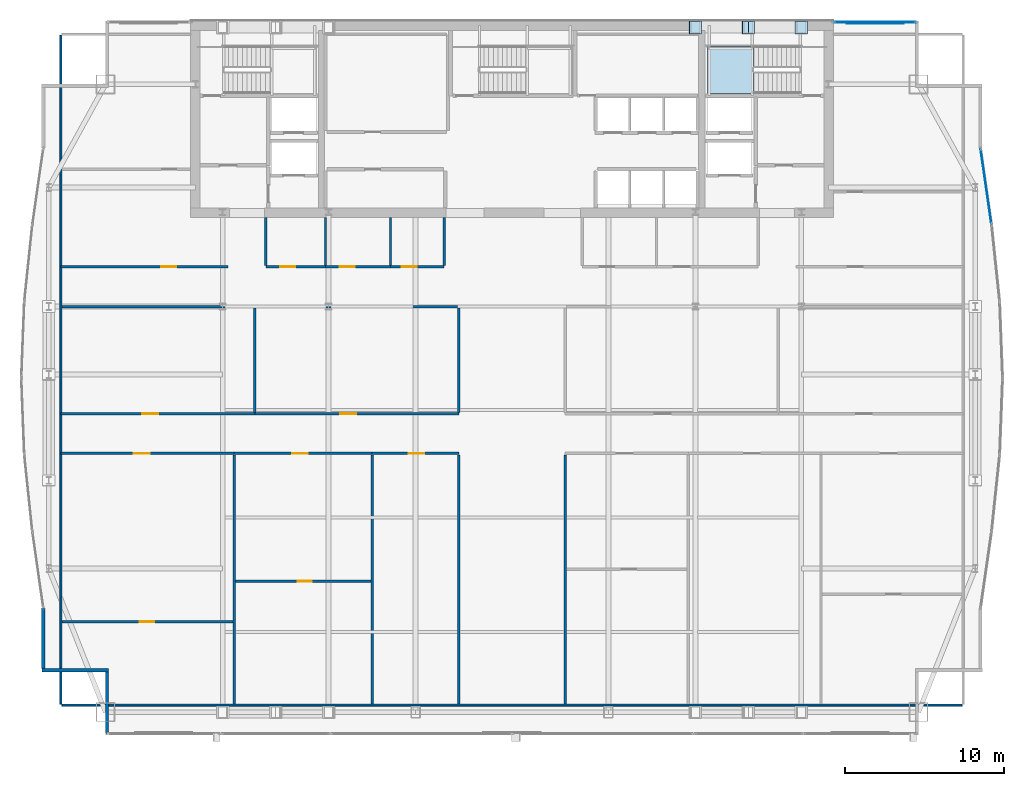
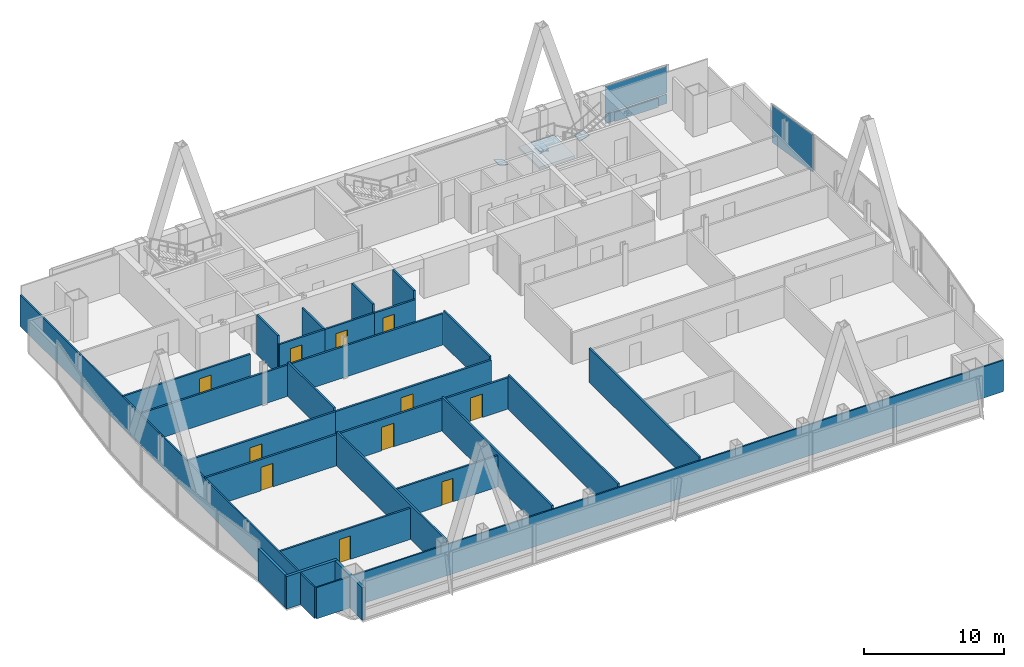
# One storey, part 27 of 32: 27 walls, 11 doors, 8 plates, 1 slab, 11 openings, 3 elements without a shape of their own.
"""IFC4 building model written with IfcOpenShell, lengths in metres."""

from ifc_helpers import new_model, si_unit, direction, frame, frame_2d, origin, origin_2d, place, context, subcontext, project, spatial, polyline, rectangle, outline, extrude, material, layer, layer_set, type_object, element, fill, aggregate, save


model = new_model("IFC4")

# Units and contexts
model_context = context("Model", 3, precision=1e-05, world=origin(), true_north=direction((0.0, 1.0)))
body_context = subcontext(model_context, "Body", "Model", "MODEL_VIEW")
ifc_project = project(units=[si_unit("LENGTHUNIT", "METRE"), si_unit("AREAUNIT", "SQUARE_METRE"), si_unit("VOLUMEUNIT", "CUBIC_METRE"), si_unit("PLANEANGLEUNIT", "RADIAN"), si_unit("MASSUNIT", "GRAM", prefix="KILO")], contexts=[model_context])

# Site, building, storey
site_placement = place(None, origin())
site = spatial("IfcSite", under=ifc_project, at=site_placement, CompositionType="ELEMENT")
building_placement = place(site_placement, origin())
building = spatial("IfcBuilding", under=site, at=building_placement, Name="Khoronbel Lancet Exchange", CompositionType="ELEMENT")
storey_placement = place(building_placement, frame((0.0, 0.0, 199.39990234375)))
storey = spatial("IfcBuildingStorey", under=building, at=storey_placement, Name="L50", CompositionType="ELEMENT", Elevation=199.39990234375)

# Curtain wall, plates
ifc_material_1 = material(Name="Low-E Solar Control Insulating Glass", Category="glass")
curtain_wall_type_1 = type_object("IfcCurtainWallType", Name="CW-3", PredefinedType="NOTDEFINED", material=ifc_material_1)
curtain_wall_1_placement = place(storey_placement, origin())
curtain_wall_1 = element("IfcCurtainWall", 1, at=curtain_wall_1_placement, inside=storey, type_object=curtain_wall_type_1, Name="Unitised curtain wall CW-L50-NEFLK", PredefinedType="NOTDEFINED")
ifc_material_2 = material(Name="Bronze-Anodised Aluminium 6063-T6", Category="aluminium")
ifc_layer_1 = layer(ifc_material_2, 0.050048828125, Name="Bronze-Anodised Aluminium 6063-T6")
ifc_layer_set_1 = layer_set([ifc_layer_1], Name="Bronze-Anodised Aluminium 6063-T6")
plate_type_1 = type_object("IfcPlateType", Name="PLT-CSP1", PredefinedType="SHEET", material=ifc_layer_set_1)
plate_1_placement = place(storey_placement, frame((59.320068359375, 53.550048828125, 0.05029296875), z_axis=(0.0, 0.0, 1.0), x_axis=(-1.0, 0.0, 0.0)))
plate_1 = element("IfcPlate", 2, at=plate_1_placement, type_object=plate_type_1, Name="Insulated bronze spandrel cassette CW-L50-NEFLK", PredefinedType="SHEET", context=body_context, shape_type="SweptSolid", body=[
    extrude(rectangle(XDim=3.60009765625, YDim=0.050048828125, at=origin_2d()), origin(), (0.0, 0.0, 1.0), 0.800048828125),
])
ifc_layer_2 = layer(ifc_material_1, 0.035888671875, Name="Low-E Solar Control Insulating Glass")
ifc_layer_set_2 = layer_set([ifc_layer_2], Name="Low-E Solar Control Insulating Glass")
plate_type_2 = type_object("IfcPlateType", Name="PLT-CWP1", PredefinedType="CURTAIN_PANEL", material=ifc_layer_set_2)
plate_2_placement = place(storey_placement, frame((59.320068359375, 53.610107421875, 0.0849609375), z_axis=(0.0, 0.0, 1.0), x_axis=(-1.0, 0.0, 0.0)))
plate_2 = element("IfcPlate", 3, at=plate_2_placement, type_object=plate_type_2, Name="CW3 panel 1.1", PredefinedType="CURTAIN_PANEL", context=body_context, shape_type="SweptSolid", body=[
    extrude(rectangle(XDim=5.110107421875, YDim=0.0380859375, at=origin_2d()), origin(), (0.0, 0.0, 1.0), 0.822509765625),
])
plate_3_placement = place(storey_placement, frame((59.320068359375, 53.610107421875, 0.99267578125), z_axis=(0.0, 0.0, 1.0), x_axis=(-1.0, 0.0, 0.0)))
plate_3 = element("IfcPlate", 4, at=plate_3_placement, type_object=plate_type_2, Name="CW3 panel 1.2", PredefinedType="CURTAIN_PANEL", context=body_context, shape_type="SweptSolid", body=[
    extrude(rectangle(XDim=5.110107421875, YDim=0.0380859375, at=origin_2d()), origin(), (0.0, 0.0, 1.0), 2.362548828125),
])
aggregate(curtain_wall_1, [plate_2, plate_3, plate_1])

# Curtain wall, plate
curtain_wall_type_2 = type_object("IfcCurtainWallType", Name="CW-4", PredefinedType="NOTDEFINED", material=ifc_material_1)
curtain_wall_2_placement = place(storey_placement, origin())
curtain_wall_2 = element("IfcCurtainWall", 5, at=curtain_wall_2_placement, inside=storey, type_object=curtain_wall_type_2, Name="Unitised curtain wall CW-L50-E17", PredefinedType="NOTDEFINED")
ifc_material_3 = material(Name="Ceramic-Fritted Laminated Insulating Glass", Category="glass")
ifc_layer_3 = layer(ifc_material_3, 0.0419921875, Name="Ceramic-Fritted Laminated Insulating Glass")
ifc_layer_set_3 = layer_set([ifc_layer_3], Name="Ceramic-Fritted Laminated Insulating Glass")
plate_type_3 = type_object("IfcPlateType", Name="PLT-CWP2", PredefinedType="CURTAIN_PANEL", material=ifc_layer_set_3)
plate_4_placement = place(storey_placement, frame((66.307861328125, 43.274658203125, 0.085205078125), z_axis=(0.0, 0.0, 1.0), x_axis=(0.142314961279, -0.989821424195, 0.0)))
plate_4 = element("IfcPlate", 6, at=plate_4_placement, type_object=plate_type_3, Name="CW4 panel 1.1", PredefinedType="CURTAIN_PANEL", context=body_context, shape_type="SweptSolid", body=[
    extrude(rectangle(XDim=4.73779296875, YDim=0.0380859375, at=origin_2d()), origin(), (0.0, 0.0, 1.0), 3.27001953125),
])
aggregate(curtain_wall_2, [plate_4])

# Plates
ifc_material_4 = material(Name="Steel S460", Category="steel")
ifc_layer_4 = layer(ifc_material_4, 0.044921875, Name="Steel S460")
ifc_layer_set_4 = layer_set([ifc_layer_4], Name="Steel S460")
plate_type_4 = type_object("IfcPlateType", Name="PLT-ECP1", PredefinedType="USERDEFINED", material=ifc_layer_set_4)
for number, where, z_axis, x_axis, name in (
    (7, (51.7294921875, 52.8798828125, -0.08642578125), (0.295093551173, 0.0, 0.955468364759), (0.0, 1.0, 0.0), "Hollow end cap plate PLT-CAP-MEM-MB-T16-N-E-L-1"),
    (8, (50.945556640625, 53.679931640625, -0.08642578125), (-0.295093551173, 0.0, 0.955468364759), (0.0, -1.0, 0.0), "Hollow end cap plate PLT-CAP-MEM-MB-T16-N-E-R-1"),
    (9, (48.3857421875, 52.8798828125, -0.1064453125), (0.295093551173, 0.0, 0.955468364759), (0.0, 1.0, 0.0), "Hollow end cap plate PLT-CAP-MEM-MB-T17-N-E-L-0"),
    (10, (54.289306640625, 53.679931640625, -0.1064453125), (-0.295093551173, 0.0, 0.955468364759), (0.0, -1.0, 0.0), "Hollow end cap plate PLT-CAP-MEM-MB-T17-N-E-R-0"),
):
    element("IfcPlate", number, at=place(storey_placement, frame(where, z_axis=z_axis, x_axis=x_axis)), inside=storey, type_object=plate_type_4, Name=name, ObjectType="STIFFENER_PLATE", PredefinedType="USERDEFINED", context=body_context, shape_type="SweptSolid", body=[
        extrude(outline(polyline([(0.0, 0.0), (0.800048828125, 0.0), (0.800048828125, 0.800048828125), (0.0, 0.800048828125), (0.0, 0.0)])), origin(), (0.0, 0.0, -1.0), 0.044921875),
    ])

# Stair, slab
ifc_material_5 = material(Name="Concrete C40/50", Category="concrete")
stair_type = type_object("IfcStairType", Name="STR-CORE150", PredefinedType="HALF_TURN_STAIR", material=ifc_material_5)
stair_placement = place(storey_placement, origin())
stair = element("IfcStair", 11, at=stair_placement, inside=storey, type_object=stair_type, Name="L50 Protected Exit Stair ST2", PredefinedType="HALF_TURN_STAIR")
ifc_layer_5 = layer(ifc_material_5, 0.199951171875, Name="Concrete C40/50")
ifc_layer_set_5 = layer_set([ifc_layer_5], Name="Concrete C40/50")
slab_type = type_object("IfcSlabType", Name="SL-LND180", PredefinedType="LANDING", material=ifc_layer_set_5)
slab_placement = place(storey_placement, frame((0.0, 0.0, 1.60009765625)))
slab = element("IfcSlab", 12, at=slab_placement, type_object=slab_type, Name="ST2 landing 1", PredefinedType="LANDING", context=body_context, shape_type="SweptSolid", body=[
    extrude(outline(polyline([(51.699951171875, 52.10009765625), (48.75, 52.10009765625), (48.75, 49.1201171875), (51.699951171875, 49.1201171875), (51.699951171875, 52.10009765625)])), origin(), (0.0, 0.0, 1.0), 0.199951171875),
])
aggregate(stair, [slab])

# Walls
ifc_material_6 = material(Name="Precast concrete C40/50", Category="concrete")
ifc_layer_6 = layer(ifc_material_6, 0.25, Name="Precast concrete C40/50")
ifc_layer_set_6 = layer_set([ifc_layer_6], Name="Precast concrete C40/50")
wall_type_1 = type_object("IfcWallType", Name="WL-EXT250", PredefinedType="SOLIDWALL", material=ifc_layer_set_6)
wall_1_placement = place(storey_placement, frame((10.93994140625, 8.77001953125, 0.0), z_axis=(0.0, 0.0, 1.0), x_axis=(0.0, 1.0, 0.0)))
element("IfcWall", 13, at=wall_1_placement, inside=storey, type_object=wall_type_1, Name="Level L50 notched-corner limestone pier 01", PredefinedType="SOLIDWALL", context=body_context, shape_type="SweptSolid", body=[
    extrude(rectangle(XDim=3.909912109375, YDim=0.219970703125, at=frame_2d((1.955078125, 0.0))), origin(), (0.0, 0.0, 1.0), 2.830078125),
])
wall_2_placement = place(storey_placement, frame((11.050048828125, 12.7900390625, 0.0), z_axis=(0.0, 0.0, 1.0), x_axis=(-1.0, 0.0, 0.0)))
element("IfcWall", 14, at=wall_2_placement, inside=storey, type_object=wall_type_1, Name="Level L50 notched-corner limestone pier 02", PredefinedType="SOLIDWALL", context=body_context, shape_type="SweptSolid", body=[
    extrude(rectangle(XDim=4.219970703125, YDim=0.219970703125, at=frame_2d((2.10986328125, 0.0))), origin(), (0.0, 0.0, 1.0), 2.830078125),
])
wall_3_placement = place(storey_placement, frame((6.93994140625, 12.89990234375, 0.0), z_axis=(0.0, 0.0, 1.0), x_axis=(0.0, 1.0, 0.0)))
element("IfcWall", 15, at=wall_3_placement, inside=storey, type_object=wall_type_1, Name="Level L50 notched-corner limestone pier 03", PredefinedType="SOLIDWALL", context=body_context, shape_type="SweptSolid", body=[
    extrude(rectangle(XDim=3.826416015625, YDim=0.219970703125, at=frame_2d((1.9130859375, 0.0))), origin(), (0.0, 0.0, 1.0), 2.830078125),
])
ifc_material_7 = material(Name="Acoustic Metal-Stud & Mineral-Wool Gypsum Partition 120 mm", Category="gypsum")
ifc_layer_7 = layer(ifc_material_7, 0.1201171875, Name="Acoustic Metal-Stud & Mineral-Wool Gypsum Partition 120 mm")
ifc_layer_set_7 = layer_set([ifc_layer_7], Name="Acoustic Metal-Stud & Mineral-Wool Gypsum Partition 120 mm")
wall_type_2 = type_object("IfcWallType", Name="WL-PRT120", PredefinedType="PARTITIONING", material=ifc_layer_set_7)
wall_4_placement = place(storey_placement, frame((20.949951171875, 38.280029296875, 0.0), z_axis=(0.0, 0.0, 1.0), x_axis=(0.0, 1.0, 0.0)))
element("IfcWall", 16, at=wall_4_placement, inside=storey, type_object=wall_type_2, Name="Level L50 interior partition PW-WC-0", PredefinedType="PARTITIONING", context=body_context, shape_type="SweptSolid", body=[
    extrude(rectangle(XDim=3.02001953125, YDim=0.14990234375, at=frame_2d((1.510009765625, 0.0))), origin(), (0.0, 0.0, 1.0), 3.440185546875),
])
wall_5_placement = place(storey_placement, frame((24.699951171875, 38.280029296875, 0.0), z_axis=(0.0, 0.0, 1.0), x_axis=(0.0, 1.0, 0.0)))
element("IfcWall", 17, at=wall_5_placement, inside=storey, type_object=wall_type_2, Name="Level L50 interior partition PW-WC-1", PredefinedType="PARTITIONING", context=body_context, shape_type="SweptSolid", body=[
    extrude(rectangle(XDim=3.02001953125, YDim=0.14990234375, at=frame_2d((1.510009765625, 0.0))), origin(), (0.0, 0.0, 1.0), 2.72998046875),
])
for number, where, z_axis, x_axis, name in (
    (18, (28.800048828125, 38.280029296875, 0.0), (0.0, 0.0, 1.0), (0.0, 1.0, 0.0), "Level L50 interior partition PW-WC-2"),
    (19, (32.179931640625, 38.280029296875, 0.0), (0.0, 0.0, 1.0), (0.0, 1.0, 0.0), "Level L50 interior partition PW-WC-3"),
):
    element("IfcWall", number, at=place(storey_placement, frame(where, z_axis=z_axis, x_axis=x_axis)), inside=storey, type_object=wall_type_2, Name=name, PredefinedType="PARTITIONING", context=body_context, shape_type="SweptSolid", body=[
        extrude(rectangle(XDim=3.02001953125, YDim=0.14990234375, at=frame_2d((1.510009765625, 0.0))), origin(), (0.0, 0.0, 1.0), 3.440185546875),
    ])

# Wall, opening, door
wall_6_placement = place(storey_placement, frame((8.094970703125, 15.847900390625, 0.0), z_axis=(0.0, 0.0, 1.0), x_axis=(1.0, 0.0, 0.0)))
wall_6 = element("IfcWall", 20, at=wall_6_placement, inside=storey, type_object=wall_type_2, Name="Level L50 interior partition PW-Z3SW-H1", PredefinedType="PARTITIONING", context=body_context, shape_type="SweptSolid", body=[
    extrude(rectangle(XDim=10.77734375, YDim=0.14990234375, at=frame_2d((5.388671875, 0.0))), origin(), (0.0, 0.0, 1.0), 2.72998046875),
])
opening_1_placement = place(wall_6_placement, frame((4.9150390625, 0.0, 0.0)))
opening_1 = element("IfcOpeningElement", 21, at=opening_1_placement, cuts=wall_6, Name="Opening D5", PredefinedType="OPENING", context=body_context, shape_type="SweptSolid", body=[
    extrude(rectangle(XDim=0.89990234375, YDim=2.050048828125, at=frame_2d((0.449951171875, 1.02490234375))), frame((0.0, 0.0849609375, 0.0), z_axis=(0.0, -1.0, 0.0), x_axis=(1.0, 0.0, 0.0)), (0.0, 0.0, 1.0), 0.169921875),
])
ifc_material_8 = material(Name="Acoustic Timber Pantry & Support Door", Category="wood")
door_type_1 = type_object("IfcDoorType", Name="DR-D5", OperationType="NOTDEFINED", PredefinedType="DOOR", material=ifc_material_8)
door_1_placement = place(opening_1_placement, origin())
door_1 = element("IfcDoor", 22, at=door_1_placement, inside=storey, type_object=door_type_1, Name="Z3SW inner door 1 L50-1", OperationType="SINGLE_SWING_RIGHT", OverallHeight=2.050048828125, OverallWidth=0.89990234375, PredefinedType="DOOR", context=body_context, shape_type="SweptSolid", body=[
    extrude(rectangle(XDim=0.89990234375, YDim=2.050048828125, at=frame_2d((0.449951171875, 1.02490234375))), frame((0.0, 0.02490234375, 0.0), z_axis=(0.0, -1.0, 0.0), x_axis=(1.0, 0.0, 0.0)), (0.0, 0.0, 1.0), 0.050048828125),
])
fill(opening_1, door_1)

wall_7_placement = place(storey_placement, frame((19.0322265625, 18.39306640625, 0.0), z_axis=(0.0, 0.0, 1.0), x_axis=(1.0, 0.0, 0.0)))
wall_7 = element("IfcWall", 23, at=wall_7_placement, inside=storey, type_object=wall_type_2, Name="Level L50 interior partition PW-Z3SW-H2", PredefinedType="PARTITIONING", context=body_context, shape_type="SweptSolid", body=[
    extrude(rectangle(XDim=8.526611328125, YDim=0.14990234375, at=frame_2d((4.26318359375, 0.0))), origin(), (0.0, 0.0, 1.0), 2.72998046875),
])
opening_2_placement = place(wall_7_placement, frame((3.908935546875, 0.0, 0.0)))
opening_2 = element("IfcOpeningElement", 24, at=opening_2_placement, cuts=wall_7, Name="Opening D5", PredefinedType="OPENING", context=body_context, shape_type="SweptSolid", body=[
    extrude(rectangle(XDim=0.89990234375, YDim=2.050048828125, at=frame_2d((0.449951171875, 1.02490234375))), frame((0.0, 0.0849609375, 0.0), z_axis=(0.0, -1.0, 0.0), x_axis=(1.0, 0.0, 0.0)), (0.0, 0.0, 1.0), 0.169921875),
])
door_2_placement = place(opening_2_placement, origin())
door_2 = element("IfcDoor", 25, at=door_2_placement, inside=storey, type_object=door_type_1, Name="Z3SW inner door 2 L50-1", OperationType="SINGLE_SWING_RIGHT", OverallHeight=2.050048828125, OverallWidth=0.89990234375, PredefinedType="DOOR", context=body_context, shape_type="SweptSolid", body=[
    extrude(rectangle(XDim=0.89990234375, YDim=2.050048828125, at=frame_2d((0.449951171875, 1.02490234375))), frame((0.0, 0.02490234375, 0.0), z_axis=(0.0, -1.0, 0.0), x_axis=(1.0, 0.0, 0.0)), (0.0, 0.0, 1.0), 0.050048828125),
])
fill(opening_2, door_2)

# Walls
wall_8_placement = place(storey_placement, frame((8.030029296875, 10.6650390625, 0.0), z_axis=(0.0, 0.0, 1.0), x_axis=(0.0, 1.0, 0.0)))
element("IfcWall", 26, at=wall_8_placement, inside=storey, type_object=wall_type_2, Name="Level L50 interior partition PW-LIN-W", PredefinedType="PARTITIONING", context=body_context, shape_type="SweptSolid", body=[
    extrude(rectangle(XDim=42.10986328125, YDim=0.1201171875, at=frame_2d((21.054931640625, 0.0))), origin(), (0.0, 0.0, 1.0), 2.72998046875),
])
wall_9_placement = place(storey_placement, frame((8.094970703125, 10.60009765625, 0.0), z_axis=(0.0, 0.0, 1.0), x_axis=(1.0, 0.0, 0.0)))
element("IfcWall", 27, at=wall_9_placement, inside=storey, type_object=wall_type_2, Name="Level L50 interior partition PW-LIN-S", PredefinedType="PARTITIONING", context=body_context, shape_type="SweptSolid", body=[
    extrude(rectangle(XDim=56.7099609375, YDim=0.1201171875, at=frame_2d((28.35498046875, 0.0))), origin(), (0.0, 0.0, 1.0), 2.72998046875),
])

# Wall, opening, door
ifc_material_9 = material(Name="Fire-Rated Twin-Stud Acoustic Gypsum Partition 150 mm", Category="gypsum")
ifc_layer_8 = layer(ifc_material_9, 0.14990234375, Name="Fire-Rated Twin-Stud Acoustic Gypsum Partition 150 mm")
ifc_layer_set_8 = layer_set([ifc_layer_8], Name="Fire-Rated Twin-Stud Acoustic Gypsum Partition 150 mm")
wall_type_3 = type_object("IfcWallType", Name="WL-PRT150C", PredefinedType="PARTITIONING", material=ifc_layer_set_8)
wall_10_placement = place(storey_placement, frame((20.949951171875, 38.199951171875, 0.0), z_axis=(0.0, 0.0, 1.0), x_axis=(1.0, 0.0, 0.0)))
wall_10 = element("IfcWall", 28, at=wall_10_placement, inside=storey, type_object=wall_type_3, Name="Level L50 interior partition PW-WC-S1", PredefinedType="PARTITIONING", context=body_context, shape_type="SweptSolid", body=[
    extrude(rectangle(XDim=3.75, YDim=0.14990234375, at=frame_2d((1.875, 0.0))), origin(), (0.0, 0.0, 1.0), 2.72998046875),
])
opening_3_placement = place(wall_10_placement, frame((0.89990234375, 0.0, 0.0)))
opening_3 = element("IfcOpeningElement", 29, at=opening_3_placement, cuts=wall_10, Name="Opening D4", PredefinedType="OPENING", context=body_context, shape_type="SweptSolid", body=[
    extrude(rectangle(XDim=0.949951171875, YDim=2.050048828125, at=frame_2d((0.47509765625, 1.02490234375))), frame((0.0, 0.0849609375, 0.0), z_axis=(0.0, -1.0, 0.0), x_axis=(1.0, 0.0, 0.0)), (0.0, 0.0, 1.0), 0.169921875),
])
ifc_material_10 = material(Name="Moisture-Resistant HPL Washroom Door", Category="wood")
door_type_2 = type_object("IfcDoorType", Name="DR-D4", OperationType="NOTDEFINED", PredefinedType="DOOR", material=ifc_material_10)
door_3_placement = place(opening_3_placement, origin())
door_3 = element("IfcDoor", 30, at=door_3_placement, inside=storey, type_object=door_type_2, Name="Male washroom door L50-1", OperationType="SINGLE_SWING_RIGHT", OverallHeight=2.050048828125, OverallWidth=0.949951171875, PredefinedType="DOOR", context=body_context, shape_type="SweptSolid", body=[
    extrude(rectangle(XDim=0.949951171875, YDim=2.050048828125, at=frame_2d((0.47509765625, 1.02490234375))), frame((0.0, 0.02490234375, 0.0), z_axis=(0.0, -1.0, 0.0), x_axis=(1.0, 0.0, 0.0)), (0.0, 0.0, 1.0), 0.050048828125),
])
fill(opening_3, door_3)

wall_11_placement = place(storey_placement, frame((24.699951171875, 38.199951171875, 0.0), z_axis=(0.0, 0.0, 1.0), x_axis=(1.0, 0.0, 0.0)))
wall_11 = element("IfcWall", 31, at=wall_11_placement, inside=storey, type_object=wall_type_3, Name="Level L50 interior partition PW-WC-S2", PredefinedType="PARTITIONING", context=body_context, shape_type="SweptSolid", body=[
    extrude(rectangle(XDim=4.10009765625, YDim=0.14990234375, at=frame_2d((2.050048828125, 0.0))), origin(), (0.0, 0.0, 1.0), 2.72998046875),
])
opening_4_placement = place(wall_11_placement, frame((0.89990234375, 0.0, 0.0)))
opening_4 = element("IfcOpeningElement", 32, at=opening_4_placement, cuts=wall_11, Name="Opening D4", PredefinedType="OPENING", context=body_context, shape_type="SweptSolid", body=[
    extrude(rectangle(XDim=0.949951171875, YDim=2.050048828125, at=frame_2d((0.47509765625, 1.02490234375))), frame((0.0, 0.0849609375, 0.0), z_axis=(0.0, -1.0, 0.0), x_axis=(1.0, 0.0, 0.0)), (0.0, 0.0, 1.0), 0.169921875),
])
door_4_placement = place(opening_4_placement, origin())
door_4 = element("IfcDoor", 33, at=door_4_placement, inside=storey, type_object=door_type_2, Name="Female washroom door L50-1", OperationType="SINGLE_SWING_LEFT", OverallHeight=2.050048828125, OverallWidth=0.949951171875, PredefinedType="DOOR", context=body_context, shape_type="SweptSolid", body=[
    extrude(rectangle(XDim=0.949951171875, YDim=2.050048828125, at=frame_2d((0.47509765625, 1.02490234375))), frame((0.0, 0.02490234375, 0.0), z_axis=(0.0, -1.0, 0.0), x_axis=(1.0, 0.0, 0.0)), (0.0, 0.0, 1.0), 0.050048828125),
])
fill(opening_4, door_4)

wall_12_placement = place(storey_placement, frame((28.800048828125, 38.199951171875, 0.0), z_axis=(0.0, 0.0, 1.0), x_axis=(1.0, 0.0, 0.0)))
wall_12 = element("IfcWall", 34, at=wall_12_placement, inside=storey, type_object=wall_type_3, Name="Level L50 interior partition PW-WC-S3", PredefinedType="PARTITIONING", context=body_context, shape_type="SweptSolid", body=[
    extrude(rectangle(XDim=3.3798828125, YDim=0.14990234375, at=frame_2d((1.68994140625, 0.0))), origin(), (0.0, 0.0, 1.0), 2.72998046875),
])
opening_5_placement = place(wall_12_placement, frame((0.699951171875, 0.0, 0.0)))
opening_5 = element("IfcOpeningElement", 35, at=opening_5_placement, cuts=wall_12, Name="Opening D4", PredefinedType="OPENING", context=body_context, shape_type="SweptSolid", body=[
    extrude(rectangle(XDim=0.949951171875, YDim=2.050048828125, at=frame_2d((0.47509765625, 1.02490234375))), frame((0.0, 0.0849609375, 0.0), z_axis=(0.0, -1.0, 0.0), x_axis=(1.0, 0.0, 0.0)), (0.0, 0.0, 1.0), 0.169921875),
])
door_5_placement = place(opening_5_placement, origin())
door_5 = element("IfcDoor", 36, at=door_5_placement, inside=storey, type_object=door_type_2, Name="Accessible WC door L50-1", OperationType="SINGLE_SWING_RIGHT", OverallHeight=2.050048828125, OverallWidth=0.949951171875, PredefinedType="DOOR", context=body_context, shape_type="SweptSolid", body=[
    extrude(rectangle(XDim=0.949951171875, YDim=2.050048828125, at=frame_2d((0.47509765625, 1.02490234375))), frame((0.0, 0.02490234375, 0.0), z_axis=(0.0, -1.0, 0.0), x_axis=(1.0, 0.0, 0.0)), (0.0, 0.0, 1.0), 0.050048828125),
])
fill(opening_5, door_5)

wall_13_placement = place(storey_placement, frame((8.030029296875, 38.199951171875, 0.0), z_axis=(0.0, 0.0, 1.0), x_axis=(1.0, 0.0, 0.0)))
wall_13 = element("IfcWall", 37, at=wall_13_placement, inside=storey, type_object=wall_type_3, Name="Level L50 interior partition PW-NW-S", PredefinedType="PARTITIONING", context=body_context, shape_type="SweptSolid", body=[
    extrude(rectangle(XDim=10.52001953125, YDim=0.14990234375, at=frame_2d((5.260009765625, 0.0))), origin(), (0.0, 0.0, 1.0), 2.72998046875),
])
opening_6_placement = place(wall_13_placement, frame((6.320068359375, 0.0, 0.0)))
opening_6 = element("IfcOpeningElement", 38, at=opening_6_placement, cuts=wall_13, Name="Opening D1", PredefinedType="OPENING", context=body_context, shape_type="SweptSolid", body=[
    extrude(rectangle(XDim=0.949951171875, YDim=2.050048828125, at=frame_2d((0.47509765625, 1.02490234375))), frame((0.0, 0.0849609375, 0.0), z_axis=(0.0, -1.0, 0.0), x_axis=(1.0, 0.0, 0.0)), (0.0, 0.0, 1.0), 0.169921875),
])
ifc_material_11 = material(Name="Acoustic Veneered Timber & Bronze Frame Door", Category="wood")
door_type_3 = type_object("IfcDoorType", Name="DR-D1", OperationType="NOTDEFINED", PredefinedType="DOOR", material=ifc_material_11)
door_6_placement = place(opening_6_placement, origin())
door_6 = element("IfcDoor", 39, at=door_6_placement, inside=storey, type_object=door_type_3, Name="NW corner room door L50-1", OperationType="SINGLE_SWING_LEFT", OverallHeight=2.050048828125, OverallWidth=0.949951171875, PredefinedType="DOOR", context=body_context, shape_type="SweptSolid", body=[
    extrude(rectangle(XDim=0.949951171875, YDim=2.050048828125, at=frame_2d((0.47509765625, 1.02490234375))), frame((0.0, 0.02490234375, 0.0), z_axis=(0.0, -1.0, 0.0), x_axis=(1.0, 0.0, 0.0)), (0.0, 0.0, 1.0), 0.050048828125),
])
fill(opening_6, door_6)

# Walls
for number, where, z_axis, x_axis, name in (
    (40, (33.10009765625, 10.6650390625, 0.0), (0.0, 0.0, 1.0), (0.0, 1.0, 0.0), "Level L50 interior partition PW-Z3-CW1"),
    (41, (39.800048828125, 10.6650390625, 0.0), (0.0, 0.0, 1.0), (0.0, 1.0, 0.0), "Level L50 interior partition PW-Z3-CE1"),
):
    element("IfcWall", number, at=place(storey_placement, frame(where, z_axis=z_axis, x_axis=x_axis)), inside=storey, type_object=wall_type_3, Name=name, PredefinedType="PARTITIONING", context=body_context, shape_type="SweptSolid", body=[
        extrude(rectangle(XDim=15.699951171875, YDim=0.14990234375, at=frame_2d((7.85009765625, 0.0))), origin(), (0.0, 0.0, 1.0), 2.97998046875),
    ])
wall_14_placement = place(storey_placement, frame((33.10009765625, 29.034912109375, 0.0), z_axis=(0.0, 0.0, 1.0), x_axis=(0.0, 1.0, 0.0)))
element("IfcWall", 42, at=wall_14_placement, inside=storey, type_object=wall_type_3, Name="Level L50 interior partition PW-Z3-CW2", PredefinedType="PARTITIONING", context=body_context, shape_type="SweptSolid", body=[
    extrude(rectangle(XDim=6.585205078125, YDim=0.14990234375, at=frame_2d((3.29248046875, 0.0))), origin(), (0.0, 0.0, 1.0), 2.97998046875),
])
wall_15_placement = place(storey_placement, frame((8.094970703125, 35.699951171875, 0.0), z_axis=(0.0, 0.0, 1.0), x_axis=(1.0, 0.0, 0.0)))
element("IfcWall", 43, at=wall_15_placement, inside=storey, type_object=wall_type_3, Name="Level L50 interior partition PW-Z3-WN", PredefinedType="PARTITIONING", context=body_context, shape_type="SweptSolid", body=[
    extrude(rectangle(XDim=24.925048828125, YDim=0.14990234375, at=frame_2d((12.46240234375, 0.0))), origin(), (0.0, 0.0, 1.0), 2.72998046875),
])
for number, where, z_axis, x_axis, name in (
    (44, (18.9521484375, 10.6650390625, 0.0), (0.0, 0.0, 1.0), (0.0, 1.0, 0.0), "Level L50 interior partition PW-Z3SW-V1"),
    (45, (27.638916015625, 10.6650390625, 0.0), (0.0, 0.0, 1.0), (0.0, 1.0, 0.0), "Level L50 interior partition PW-Z3SW-V2"),
):
    element("IfcWall", number, at=place(storey_placement, frame(where, z_axis=z_axis, x_axis=x_axis)), inside=storey, type_object=wall_type_3, Name=name, PredefinedType="PARTITIONING", context=body_context, shape_type="SweptSolid", body=[
        extrude(rectangle(XDim=15.699951171875, YDim=0.14990234375, at=frame_2d((7.85009765625, 0.0))), origin(), (0.0, 0.0, 1.0), 2.97998046875),
    ])
wall_16_placement = place(storey_placement, frame((20.2470703125, 29.034912109375, 0.0), z_axis=(0.0, 0.0, 1.0), x_axis=(0.0, 1.0, 0.0)))
element("IfcWall", 46, at=wall_16_placement, inside=storey, type_object=wall_type_3, Name="Level L50 interior partition PW-Z3NW-V1", PredefinedType="PARTITIONING", context=body_context, shape_type="SweptSolid", body=[
    extrude(rectangle(XDim=6.585205078125, YDim=0.14990234375, at=frame_2d((3.29248046875, 0.0))), origin(), (0.0, 0.0, 1.0), 2.97998046875),
])

# Wall, opening, door
ifc_material_12 = material(Name="Fire-Rated Twin-Stud Acoustic Gypsum Partition 160 mm", Category="gypsum")
ifc_layer_9 = layer(ifc_material_12, 0.159912109375, Name="Fire-Rated Twin-Stud Acoustic Gypsum Partition 160 mm")
ifc_layer_set_9 = layer_set([ifc_layer_9], Name="Fire-Rated Twin-Stud Acoustic Gypsum Partition 160 mm")
wall_type_4 = type_object("IfcWallType", Name="WL-PRT160C", PredefinedType="PARTITIONING", material=ifc_layer_set_9)
wall_17_placement = place(storey_placement, frame((8.030029296875, 26.449951171875, 0.0), z_axis=(0.0, 0.0, 1.0), x_axis=(1.0, 0.0, 0.0)))
wall_17 = element("IfcWall", 47, at=wall_17_placement, inside=storey, type_object=wall_type_4, Name="Level L50 interior partition PW-Z3SW-COR1", PredefinedType="PARTITIONING", context=body_context, shape_type="SweptSolid", body=[
    extrude(rectangle(XDim=10.922119140625, YDim=0.159912109375, at=frame_2d((5.4609375, 0.0))), origin(), (0.0, 0.0, 1.0), 2.72998046875),
])
opening_7_placement = place(wall_17_placement, frame((4.58740234375, 0.0, 0.0)))
opening_7 = element("IfcOpeningElement", 48, at=opening_7_placement, cuts=wall_17, Name="Opening D2", PredefinedType="OPENING", context=body_context, shape_type="SweptSolid", body=[
    extrude(rectangle(XDim=1.0, YDim=2.050048828125, at=frame_2d((0.5, 1.02490234375))), frame((0.0, 0.08984375, 0.0), z_axis=(0.0, -1.0, 0.0), x_axis=(1.0, 0.0, 0.0)), (0.0, 0.0, 1.0), 0.179931640625),
])
door_type_4 = type_object("IfcDoorType", Name="DR-D2", OperationType="NOTDEFINED", PredefinedType="DOOR", material=ifc_material_11)
door_7_placement = place(opening_7_placement, origin())
door_7 = element("IfcDoor", 49, at=door_7_placement, inside=storey, type_object=door_type_4, Name="Z3SW bay 1 door L50-1", OperationType="SINGLE_SWING_LEFT", OverallHeight=2.050048828125, OverallWidth=1.0, PredefinedType="DOOR", context=body_context, shape_type="SweptSolid", body=[
    extrude(rectangle(XDim=1.0, YDim=2.050048828125, at=frame_2d((0.5, 1.02490234375))), frame((0.0, 0.02490234375, 0.0), z_axis=(0.0, -1.0, 0.0), x_axis=(1.0, 0.0, 0.0)), (0.0, 0.0, 1.0), 0.050048828125),
])
fill(opening_7, door_7)

wall_18_placement = place(storey_placement, frame((18.9521484375, 26.449951171875, 0.0), z_axis=(0.0, 0.0, 1.0), x_axis=(1.0, 0.0, 0.0)))
wall_18 = element("IfcWall", 50, at=wall_18_placement, inside=storey, type_object=wall_type_4, Name="Level L50 interior partition PW-Z3SW-COR2", PredefinedType="PARTITIONING", context=body_context, shape_type="SweptSolid", body=[
    extrude(rectangle(XDim=8.686767578125, YDim=0.159912109375, at=frame_2d((4.34326171875, 0.0))), origin(), (0.0, 0.0, 1.0), 2.72998046875),
])
opening_8_placement = place(wall_18_placement, frame((3.6484375, 0.0, 0.0)))
opening_8 = element("IfcOpeningElement", 51, at=opening_8_placement, cuts=wall_18, Name="Opening D2", PredefinedType="OPENING", context=body_context, shape_type="SweptSolid", body=[
    extrude(rectangle(XDim=1.0, YDim=2.050048828125, at=frame_2d((0.5, 1.02490234375))), frame((0.0, 0.08984375, 0.0), z_axis=(0.0, -1.0, 0.0), x_axis=(1.0, 0.0, 0.0)), (0.0, 0.0, 1.0), 0.179931640625),
])
door_8_placement = place(opening_8_placement, origin())
door_8 = element("IfcDoor", 52, at=door_8_placement, inside=storey, type_object=door_type_4, Name="Z3SW bay 2 door L50-1", OperationType="SINGLE_SWING_LEFT", OverallHeight=2.050048828125, OverallWidth=1.0, PredefinedType="DOOR", context=body_context, shape_type="SweptSolid", body=[
    extrude(rectangle(XDim=1.0, YDim=2.050048828125, at=frame_2d((0.5, 1.02490234375))), frame((0.0, 0.02490234375, 0.0), z_axis=(0.0, -1.0, 0.0), x_axis=(1.0, 0.0, 0.0)), (0.0, 0.0, 1.0), 0.050048828125),
])
fill(opening_8, door_8)

wall_19_placement = place(storey_placement, frame((27.638916015625, 26.449951171875, 0.0), z_axis=(0.0, 0.0, 1.0), x_axis=(1.0, 0.0, 0.0)))
wall_19 = element("IfcWall", 53, at=wall_19_placement, inside=storey, type_object=wall_type_4, Name="Level L50 interior partition PW-Z3SW-COR3", PredefinedType="PARTITIONING", context=body_context, shape_type="SweptSolid", body=[
    extrude(rectangle(XDim=5.461181640625, YDim=0.159912109375, at=frame_2d((2.73046875, 0.0))), origin(), (0.0, 0.0, 1.0), 2.72998046875),
])
opening_9_placement = place(wall_19_placement, frame((2.293701171875, 0.0, 0.0)))
opening_9 = element("IfcOpeningElement", 54, at=opening_9_placement, cuts=wall_19, Name="Opening D2", PredefinedType="OPENING", context=body_context, shape_type="SweptSolid", body=[
    extrude(rectangle(XDim=1.0, YDim=2.050048828125, at=frame_2d((0.5, 1.02490234375))), frame((0.0, 0.08984375, 0.0), z_axis=(0.0, -1.0, 0.0), x_axis=(1.0, 0.0, 0.0)), (0.0, 0.0, 1.0), 0.179931640625),
])
door_9_placement = place(opening_9_placement, origin())
door_9 = element("IfcDoor", 55, at=door_9_placement, inside=storey, type_object=door_type_4, Name="Z3SW bay 3 door L50-1", OperationType="SINGLE_SWING_LEFT", OverallHeight=2.050048828125, OverallWidth=1.0, PredefinedType="DOOR", context=body_context, shape_type="SweptSolid", body=[
    extrude(rectangle(XDim=1.0, YDim=2.050048828125, at=frame_2d((0.5, 1.02490234375))), frame((0.0, 0.02490234375, 0.0), z_axis=(0.0, -1.0, 0.0), x_axis=(1.0, 0.0, 0.0)), (0.0, 0.0, 1.0), 0.050048828125),
])
fill(opening_9, door_9)

wall_20_placement = place(storey_placement, frame((8.030029296875, 28.949951171875, 0.0), z_axis=(0.0, 0.0, 1.0), x_axis=(1.0, 0.0, 0.0)))
wall_20 = element("IfcWall", 56, at=wall_20_placement, inside=storey, type_object=wall_type_4, Name="Level L50 interior partition PW-Z3NW-COR1", PredefinedType="PARTITIONING", context=body_context, shape_type="SweptSolid", body=[
    extrude(rectangle(XDim=12.217041015625, YDim=0.159912109375, at=frame_2d((6.1083984375, 0.0))), origin(), (0.0, 0.0, 1.0), 2.72998046875),
])
opening_10_placement = place(wall_20_placement, frame((5.131103515625, 0.0, 0.0)))
opening_10 = element("IfcOpeningElement", 57, at=opening_10_placement, cuts=wall_20, Name="Opening D2", PredefinedType="OPENING", context=body_context, shape_type="SweptSolid", body=[
    extrude(rectangle(XDim=1.0, YDim=2.050048828125, at=frame_2d((0.5, 1.02490234375))), frame((0.0, 0.08984375, 0.0), z_axis=(0.0, -1.0, 0.0), x_axis=(1.0, 0.0, 0.0)), (0.0, 0.0, 1.0), 0.179931640625),
])
door_10_placement = place(opening_10_placement, origin())
door_10 = element("IfcDoor", 58, at=door_10_placement, inside=storey, type_object=door_type_4, Name="Z3NW bay 1 door L50-1", OperationType="SINGLE_SWING_LEFT", OverallHeight=2.050048828125, OverallWidth=1.0, PredefinedType="DOOR", context=body_context, shape_type="SweptSolid", body=[
    extrude(rectangle(XDim=1.0, YDim=2.050048828125, at=frame_2d((0.5, 1.02490234375))), frame((0.0, 0.02490234375, 0.0), z_axis=(0.0, -1.0, 0.0), x_axis=(1.0, 0.0, 0.0)), (0.0, 0.0, 1.0), 0.050048828125),
])
fill(opening_10, door_10)

wall_21_placement = place(storey_placement, frame((20.2470703125, 28.949951171875, 0.0), z_axis=(0.0, 0.0, 1.0), x_axis=(1.0, 0.0, 0.0)))
wall_21 = element("IfcWall", 59, at=wall_21_placement, inside=storey, type_object=wall_type_4, Name="Level L50 interior partition PW-Z3NW-COR2", PredefinedType="PARTITIONING", context=body_context, shape_type="SweptSolid", body=[
    extrude(rectangle(XDim=12.85302734375, YDim=0.159912109375, at=frame_2d((6.426513671875, 0.0))), origin(), (0.0, 0.0, 1.0), 2.72998046875),
])
opening_11_placement = place(wall_21_placement, frame((5.398193359375, 0.0, 0.0)))
opening_11 = element("IfcOpeningElement", 60, at=opening_11_placement, cuts=wall_21, Name="Opening D2", PredefinedType="OPENING", context=body_context, shape_type="SweptSolid", body=[
    extrude(rectangle(XDim=1.0, YDim=2.050048828125, at=frame_2d((0.5, 1.02490234375))), frame((0.0, 0.08984375, 0.0), z_axis=(0.0, -1.0, 0.0), x_axis=(1.0, 0.0, 0.0)), (0.0, 0.0, 1.0), 0.179931640625),
])
door_11_placement = place(opening_11_placement, origin())
door_11 = element("IfcDoor", 61, at=door_11_placement, inside=storey, type_object=door_type_4, Name="Z3NW bay 2 door L50-1", OperationType="SINGLE_SWING_RIGHT", OverallHeight=2.050048828125, OverallWidth=1.0, PredefinedType="DOOR", context=body_context, shape_type="SweptSolid", body=[
    extrude(rectangle(XDim=1.0, YDim=2.050048828125, at=frame_2d((0.5, 1.02490234375))), frame((0.0, 0.02490234375, 0.0), z_axis=(0.0, -1.0, 0.0), x_axis=(1.0, 0.0, 0.0)), (0.0, 0.0, 1.0), 0.050048828125),
])
fill(opening_11, door_11)

save(model, "model.ifc")
